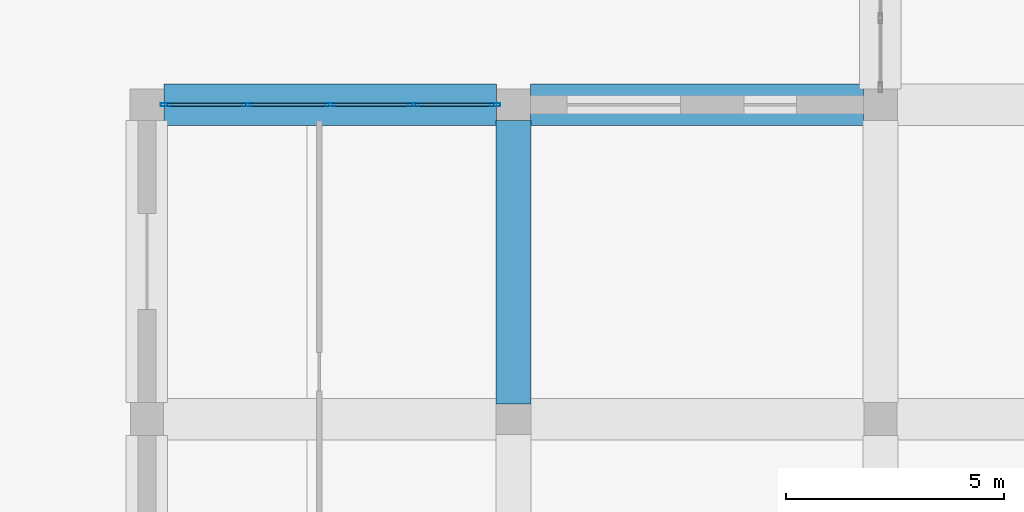
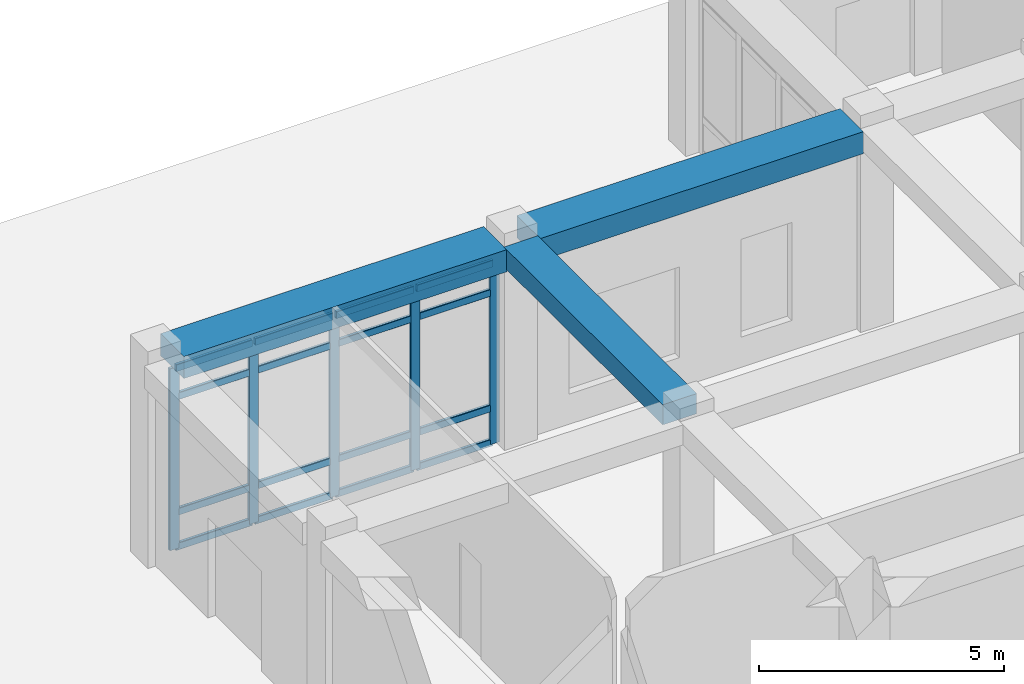
# One storey, part 32 of 84: 21 members, 3 beams, 1 element without a shape of its own.
"""IFC4 building model written with IfcOpenShell, lengths in metres."""

from ifc_helpers import new_model, si_unit, derived_unit, direction, frame, origin, origin_2d, place, context, subcontext, project, spatial, rectangle, hollow_rectangle, extrude, material, material_profile, profile_set, type_object, element, aggregate, save


model = new_model("IFC4")

# Units and contexts
model_context = context("Model", 3, precision=1e-05, world=origin(), true_north=direction((0.0, 1.0)))
body_context = subcontext(model_context, "Body", "Model", "MODEL_VIEW")
ifc_project = project(units=[si_unit("LENGTHUNIT", "METRE"), si_unit("AREAUNIT", "SQUARE_METRE"), si_unit("VOLUMEUNIT", "CUBIC_METRE"), si_unit("PLANEANGLEUNIT", "RADIAN"), si_unit("MASSUNIT", "GRAM", prefix="KILO"), derived_unit("THERMALTRANSMITTANCEUNIT", [(si_unit("POWERUNIT", "WATT"), 1), (si_unit("LENGTHUNIT", "METRE"), -2), (si_unit("THERMODYNAMICTEMPERATUREUNIT", "KELVIN"), -1)])], contexts=[model_context])

# Site, building, storey
site_placement = place(None, origin())
site = spatial("IfcSite", under=ifc_project, at=site_placement, CompositionType="ELEMENT")
building_placement = place(site_placement, origin())
building = spatial("IfcBuilding", under=site, at=building_placement, Name="Veybourne Emporium", CompositionType="ELEMENT")
storey_placement = place(building_placement, origin())
storey = spatial("IfcBuildingStorey", under=building, at=storey_placement, Name="L00", CompositionType="ELEMENT", Elevation=0.0)

# Curtain wall, members
ifc_material_1 = material(Name="Patinated Architectural Bronze", Category="bronze")
curtain_wall_type = type_object("IfcCurtainWallType", Name="CWSystem_CWS-02", PredefinedType="NOTDEFINED", material=ifc_material_1)
curtain_wall_placement = place(storey_placement, origin())
curtain_wall = element("IfcCurtainWall", 1, at=curtain_wall_placement, inside=storey, type_object=curtain_wall_type, Name="L00 bronze glazed curtain wall CWS-02 (024)", PredefinedType="NOTDEFINED")
ifc_material_profile_1 = material_profile(ifc_material_1, hollow_rectangle(XDim=0.074951171875, YDim=0.22998046875, WallThickness=0.0048828125, InnerFilletRadius=0.007568359375, OuterFilletRadius=0.012451171875, at=origin_2d()), Name="CWM 75x230x5")
ifc_profile_set_1 = profile_set([ifc_material_profile_1], Name="Patinated Architectural Bronze")
member_type_1 = type_object("IfcMemberType", Name="CWMullion_CW-M2", PredefinedType="MULLION", material=ifc_profile_set_1)
member_1_placement = place(storey_placement, frame((34.027587890625, 108.0, 0.0), z_axis=(0.0, 0.0, 1.0), x_axis=(0.0, 1.0, 0.0)))
member_1 = element("IfcMember", 2, at=member_1_placement, type_object=member_type_1, Name="CWS-02 mullion 1", PredefinedType="MULLION", context=body_context, shape_type="SweptSolid", body=[
    extrude(hollow_rectangle(XDim=0.074951171875, YDim=0.22998046875, WallThickness=0.0048828125, InnerFilletRadius=0.007568359375, OuterFilletRadius=0.012451171875, at=origin_2d()), origin(), (0.0, 0.0, 1.0), 4.530029296875),
])
member_2_placement = place(storey_placement, frame((35.89501953125, 108.0, 0.0), z_axis=(0.0, 0.0, 1.0), x_axis=(0.0, 1.0, 0.0)))
member_2 = element("IfcMember", 3, at=member_2_placement, type_object=member_type_1, Name="CWS-02 mullion 2", PredefinedType="MULLION", context=body_context, shape_type="SweptSolid", body=[
    extrude(hollow_rectangle(XDim=0.074951171875, YDim=0.22998046875, WallThickness=0.0048828125, InnerFilletRadius=0.007568359375, OuterFilletRadius=0.012451171875, at=origin_2d()), origin(), (0.0, 0.0, 1.0), 4.530029296875),
])
member_3_placement = place(storey_placement, frame((37.800048828125, 108.0, 0.0), z_axis=(0.0, 0.0, 1.0), x_axis=(0.0, 1.0, 0.0)))
member_3 = element("IfcMember", 4, at=member_3_placement, type_object=member_type_1, Name="CWS-02 mullion 3", PredefinedType="MULLION", context=body_context, shape_type="SweptSolid", body=[
    extrude(hollow_rectangle(XDim=0.074951171875, YDim=0.22998046875, WallThickness=0.0048828125, InnerFilletRadius=0.007568359375, OuterFilletRadius=0.012451171875, at=origin_2d()), origin(), (0.0, 0.0, 1.0), 4.530029296875),
])
member_4_placement = place(storey_placement, frame((39.705078125, 108.0, 0.0), z_axis=(0.0, 0.0, 1.0), x_axis=(0.0, 1.0, 0.0)))
member_4 = element("IfcMember", 5, at=member_4_placement, type_object=member_type_1, Name="CWS-02 mullion 4", PredefinedType="MULLION", context=body_context, shape_type="SweptSolid", body=[
    extrude(hollow_rectangle(XDim=0.074951171875, YDim=0.22998046875, WallThickness=0.0048828125, InnerFilletRadius=0.007568359375, OuterFilletRadius=0.012451171875, at=origin_2d()), origin(), (0.0, 0.0, 1.0), 4.530029296875),
])
member_5_placement = place(storey_placement, frame((41.572509765625, 108.0, 0.0), z_axis=(0.0, 0.0, 1.0), x_axis=(0.0, 1.0, 0.0)))
member_5 = element("IfcMember", 6, at=member_5_placement, type_object=member_type_1, Name="CWS-02 mullion 5", PredefinedType="MULLION", context=body_context, shape_type="SweptSolid", body=[
    extrude(hollow_rectangle(XDim=0.074951171875, YDim=0.22998046875, WallThickness=0.0048828125, InnerFilletRadius=0.007568359375, OuterFilletRadius=0.012451171875, at=origin_2d()), origin(), (0.0, 0.0, 1.0), 4.530029296875),
])
ifc_material_profile_2 = material_profile(ifc_material_1, hollow_rectangle(XDim=0.074951171875, YDim=0.179931640625, WallThickness=0.0048828125, InnerFilletRadius=0.007568359375, OuterFilletRadius=0.012451171875, at=origin_2d()), Name="CWT 75x180x5")
ifc_profile_set_2 = profile_set([ifc_material_profile_2], Name="Patinated Architectural Bronze")
member_type_2 = type_object("IfcMemberType", Name="CWTransom_CW-T2", PredefinedType="NOTDEFINED", material=ifc_profile_set_2)
member_6_placement = place(storey_placement, frame((34.06494140625, 108.0, 0.03759765625), z_axis=(1.0, 0.0, 0.0), x_axis=(0.0, 1.0, 0.0)))
member_6 = element("IfcMember", 7, at=member_6_placement, type_object=member_type_2, Name="CWS-02 transom 1.1", ObjectType="TRANSOM", PredefinedType="USERDEFINED", context=body_context, shape_type="SweptSolid", body=[
    extrude(hollow_rectangle(XDim=0.074951171875, YDim=0.179931640625, WallThickness=0.0048828125, InnerFilletRadius=0.007568359375, OuterFilletRadius=0.012451171875, at=origin_2d()), origin(), (0.0, 0.0, 1.0), 1.79248046875),
])
member_7_placement = place(storey_placement, frame((34.06494140625, 108.0, 0.89990234375), z_axis=(1.0, 0.0, 0.0), x_axis=(0.0, 1.0, 0.0)))
member_7 = element("IfcMember", 8, at=member_7_placement, type_object=member_type_2, Name="CWS-02 transom 1.2", ObjectType="TRANSOM", PredefinedType="USERDEFINED", context=body_context, shape_type="SweptSolid", body=[
    extrude(hollow_rectangle(XDim=0.074951171875, YDim=0.179931640625, WallThickness=0.0048828125, InnerFilletRadius=0.007568359375, OuterFilletRadius=0.012451171875, at=origin_2d()), origin(), (0.0, 0.0, 1.0), 1.79248046875),
])
member_8_placement = place(storey_placement, frame((34.06494140625, 108.0, 3.780029296875), z_axis=(1.0, 0.0, 0.0), x_axis=(0.0, 1.0, 0.0)))
member_8 = element("IfcMember", 9, at=member_8_placement, type_object=member_type_2, Name="CWS-02 transom 1.3", ObjectType="TRANSOM", PredefinedType="USERDEFINED", context=body_context, shape_type="SweptSolid", body=[
    extrude(hollow_rectangle(XDim=0.074951171875, YDim=0.179931640625, WallThickness=0.0048828125, InnerFilletRadius=0.007568359375, OuterFilletRadius=0.012451171875, at=origin_2d()), origin(), (0.0, 0.0, 1.0), 1.79248046875),
])
member_9_placement = place(storey_placement, frame((34.06494140625, 108.0, 4.492431640625), z_axis=(1.0, 0.0, 0.0), x_axis=(0.0, 1.0, 0.0)))
member_9 = element("IfcMember", 10, at=member_9_placement, type_object=member_type_2, Name="CWS-02 transom 1.4", ObjectType="TRANSOM", PredefinedType="USERDEFINED", context=body_context, shape_type="SweptSolid", body=[
    extrude(hollow_rectangle(XDim=0.074951171875, YDim=0.179931640625, WallThickness=0.0048828125, InnerFilletRadius=0.007568359375, OuterFilletRadius=0.012451171875, at=origin_2d()), origin(), (0.0, 0.0, 1.0), 1.79248046875),
])
member_10_placement = place(storey_placement, frame((35.9326171875, 108.0, 0.03759765625), z_axis=(1.0, 0.0, 0.0), x_axis=(0.0, 1.0, 0.0)))
member_10 = element("IfcMember", 11, at=member_10_placement, type_object=member_type_2, Name="CWS-02 transom 2.1", ObjectType="TRANSOM", PredefinedType="USERDEFINED", context=body_context, shape_type="SweptSolid", body=[
    extrude(hollow_rectangle(XDim=0.074951171875, YDim=0.179931640625, WallThickness=0.0048828125, InnerFilletRadius=0.007568359375, OuterFilletRadius=0.012451171875, at=origin_2d()), origin(), (0.0, 0.0, 1.0), 1.829833984375),
])
member_11_placement = place(storey_placement, frame((35.9326171875, 108.0, 0.89990234375), z_axis=(1.0, 0.0, 0.0), x_axis=(0.0, 1.0, 0.0)))
member_11 = element("IfcMember", 12, at=member_11_placement, type_object=member_type_2, Name="CWS-02 transom 2.2", ObjectType="TRANSOM", PredefinedType="USERDEFINED", context=body_context, shape_type="SweptSolid", body=[
    extrude(hollow_rectangle(XDim=0.074951171875, YDim=0.179931640625, WallThickness=0.0048828125, InnerFilletRadius=0.007568359375, OuterFilletRadius=0.012451171875, at=origin_2d()), origin(), (0.0, 0.0, 1.0), 1.829833984375),
])
member_12_placement = place(storey_placement, frame((35.9326171875, 108.0, 3.780029296875), z_axis=(1.0, 0.0, 0.0), x_axis=(0.0, 1.0, 0.0)))
member_12 = element("IfcMember", 13, at=member_12_placement, type_object=member_type_2, Name="CWS-02 transom 2.3", ObjectType="TRANSOM", PredefinedType="USERDEFINED", context=body_context, shape_type="SweptSolid", body=[
    extrude(hollow_rectangle(XDim=0.074951171875, YDim=0.179931640625, WallThickness=0.0048828125, InnerFilletRadius=0.007568359375, OuterFilletRadius=0.012451171875, at=origin_2d()), origin(), (0.0, 0.0, 1.0), 1.829833984375),
])
member_13_placement = place(storey_placement, frame((35.9326171875, 108.0, 4.492431640625), z_axis=(1.0, 0.0, 0.0), x_axis=(0.0, 1.0, 0.0)))
member_13 = element("IfcMember", 14, at=member_13_placement, type_object=member_type_2, Name="CWS-02 transom 2.4", ObjectType="TRANSOM", PredefinedType="USERDEFINED", context=body_context, shape_type="SweptSolid", body=[
    extrude(hollow_rectangle(XDim=0.074951171875, YDim=0.179931640625, WallThickness=0.0048828125, InnerFilletRadius=0.007568359375, OuterFilletRadius=0.012451171875, at=origin_2d()), origin(), (0.0, 0.0, 1.0), 1.829833984375),
])
member_14_placement = place(storey_placement, frame((37.83740234375, 108.0, 0.03759765625), z_axis=(1.0, 0.0, 0.0), x_axis=(0.0, 1.0, 0.0)))
member_14 = element("IfcMember", 15, at=member_14_placement, type_object=member_type_2, Name="CWS-02 transom 3.1", ObjectType="TRANSOM", PredefinedType="USERDEFINED", context=body_context, shape_type="SweptSolid", body=[
    extrude(hollow_rectangle(XDim=0.074951171875, YDim=0.179931640625, WallThickness=0.0048828125, InnerFilletRadius=0.007568359375, OuterFilletRadius=0.012451171875, at=origin_2d()), origin(), (0.0, 0.0, 1.0), 1.830078125),
])
member_15_placement = place(storey_placement, frame((37.83740234375, 108.0, 0.89990234375), z_axis=(1.0, 0.0, 0.0), x_axis=(0.0, 1.0, 0.0)))
member_15 = element("IfcMember", 16, at=member_15_placement, type_object=member_type_2, Name="CWS-02 transom 3.2", ObjectType="TRANSOM", PredefinedType="USERDEFINED", context=body_context, shape_type="SweptSolid", body=[
    extrude(hollow_rectangle(XDim=0.074951171875, YDim=0.179931640625, WallThickness=0.0048828125, InnerFilletRadius=0.007568359375, OuterFilletRadius=0.012451171875, at=origin_2d()), origin(), (0.0, 0.0, 1.0), 1.830078125),
])
member_16_placement = place(storey_placement, frame((37.83740234375, 108.0, 3.780029296875), z_axis=(1.0, 0.0, 0.0), x_axis=(0.0, 1.0, 0.0)))
member_16 = element("IfcMember", 17, at=member_16_placement, type_object=member_type_2, Name="CWS-02 transom 3.3", ObjectType="TRANSOM", PredefinedType="USERDEFINED", context=body_context, shape_type="SweptSolid", body=[
    extrude(hollow_rectangle(XDim=0.074951171875, YDim=0.179931640625, WallThickness=0.0048828125, InnerFilletRadius=0.007568359375, OuterFilletRadius=0.012451171875, at=origin_2d()), origin(), (0.0, 0.0, 1.0), 1.830078125),
])
member_17_placement = place(storey_placement, frame((37.83740234375, 108.0, 4.492431640625), z_axis=(1.0, 0.0, 0.0), x_axis=(0.0, 1.0, 0.0)))
member_17 = element("IfcMember", 18, at=member_17_placement, type_object=member_type_2, Name="CWS-02 transom 3.4", ObjectType="TRANSOM", PredefinedType="USERDEFINED", context=body_context, shape_type="SweptSolid", body=[
    extrude(hollow_rectangle(XDim=0.074951171875, YDim=0.179931640625, WallThickness=0.0048828125, InnerFilletRadius=0.007568359375, OuterFilletRadius=0.012451171875, at=origin_2d()), origin(), (0.0, 0.0, 1.0), 1.830078125),
])
member_18_placement = place(storey_placement, frame((39.742431640625, 108.0, 0.03759765625), z_axis=(1.0, 0.0, 0.0), x_axis=(0.0, 1.0, 0.0)))
member_18 = element("IfcMember", 19, at=member_18_placement, type_object=member_type_2, Name="CWS-02 transom 4.1", ObjectType="TRANSOM", PredefinedType="USERDEFINED", context=body_context, shape_type="SweptSolid", body=[
    extrude(hollow_rectangle(XDim=0.074951171875, YDim=0.179931640625, WallThickness=0.0048828125, InnerFilletRadius=0.007568359375, OuterFilletRadius=0.012451171875, at=origin_2d()), origin(), (0.0, 0.0, 1.0), 1.79248046875),
])
member_19_placement = place(storey_placement, frame((39.742431640625, 108.0, 0.89990234375), z_axis=(1.0, 0.0, 0.0), x_axis=(0.0, 1.0, 0.0)))
member_19 = element("IfcMember", 20, at=member_19_placement, type_object=member_type_2, Name="CWS-02 transom 4.2", ObjectType="TRANSOM", PredefinedType="USERDEFINED", context=body_context, shape_type="SweptSolid", body=[
    extrude(hollow_rectangle(XDim=0.074951171875, YDim=0.179931640625, WallThickness=0.0048828125, InnerFilletRadius=0.007568359375, OuterFilletRadius=0.012451171875, at=origin_2d()), origin(), (0.0, 0.0, 1.0), 1.79248046875),
])
member_20_placement = place(storey_placement, frame((39.742431640625, 108.0, 3.780029296875), z_axis=(1.0, 0.0, 0.0), x_axis=(0.0, 1.0, 0.0)))
member_20 = element("IfcMember", 21, at=member_20_placement, type_object=member_type_2, Name="CWS-02 transom 4.3", ObjectType="TRANSOM", PredefinedType="USERDEFINED", context=body_context, shape_type="SweptSolid", body=[
    extrude(hollow_rectangle(XDim=0.074951171875, YDim=0.179931640625, WallThickness=0.0048828125, InnerFilletRadius=0.007568359375, OuterFilletRadius=0.012451171875, at=origin_2d()), origin(), (0.0, 0.0, 1.0), 1.79248046875),
])
member_21_placement = place(storey_placement, frame((39.742431640625, 108.0, 4.492431640625), z_axis=(1.0, 0.0, 0.0), x_axis=(0.0, 1.0, 0.0)))
member_21 = element("IfcMember", 22, at=member_21_placement, type_object=member_type_2, Name="CWS-02 transom 4.4", ObjectType="TRANSOM", PredefinedType="USERDEFINED", context=body_context, shape_type="SweptSolid", body=[
    extrude(hollow_rectangle(XDim=0.074951171875, YDim=0.179931640625, WallThickness=0.0048828125, InnerFilletRadius=0.007568359375, OuterFilletRadius=0.012451171875, at=origin_2d()), origin(), (0.0, 0.0, 1.0), 1.79248046875),
])
aggregate(curtain_wall, [member_1, member_2, member_3, member_4, member_5, member_6, member_7, member_8, member_9, member_10, member_11, member_12, member_13, member_14, member_15, member_16, member_17, member_18, member_19, member_20, member_21])

# Beams
ifc_material_2 = material(Name="Concrete C32/40", Category="concrete")
ifc_material_profile_3 = material_profile(ifc_material_2, rectangle(XDim=0.800048828125, YDim=0.5, at=origin_2d()), Name="RC 800x500")
ifc_profile_set_3 = profile_set([ifc_material_profile_3], Name="Concrete C32/40")
beam_type_1 = type_object("IfcBeamType", Name="RCBeam_BB-02", PredefinedType="BEAM", material=ifc_profile_set_3)
beam_placement = place(storey_placement, frame((42.0, 101.14990234375, 4.830078125), z_axis=(0.0, 1.0, 0.0), x_axis=(-1.0, 0.0, 0.0)))
element("IfcBeam", 23, at=beam_placement, inside=storey, type_object=beam_type_1, Name="L00 Y-grid beam BB-02 (5,14)", PredefinedType="BEAM", context=body_context, shape_type="SweptSolid", body=[
    extrude(rectangle(XDim=0.800048828125, YDim=0.5, at=origin_2d()), origin(), (0.0, 0.0, 1.0), 6.489990234375),
])
ifc_material_profile_4 = material_profile(ifc_material_2, rectangle(XDim=0.949951171875, YDim=0.550048828125, at=origin_2d()), Name="RC 950x550")
ifc_profile_set_4 = profile_set([ifc_material_profile_4], Name="Concrete C32/40")
beam_type_2 = type_object("IfcBeamType", Name="RCBeam_EB-01", PredefinedType="SPANDREL", material=ifc_profile_set_4)
for number, where, z_axis, x_axis, name in (
    (24, (33.989990234375, 108.0, 4.804931640625), (1.0, 0.0, 0.0), (0.0, 1.0, 0.0), "L00 X-grid beam EB-01 (4,15)"),
    (25, (42.389892578125, 108.0, 4.804931640625), (1.0, 0.0, 0.0), (0.0, 1.0, 0.0), "L00 X-grid beam EB-01 (5,15)"),
):
    element("IfcBeam", number, at=place(storey_placement, frame(where, z_axis=z_axis, x_axis=x_axis)), inside=storey, type_object=beam_type_2, Name=name, PredefinedType="SPANDREL", context=body_context, shape_type="SweptSolid", body=[
        extrude(rectangle(XDim=0.949951171875, YDim=0.550048828125, at=origin_2d()), origin(), (0.0, 0.0, 1.0), 7.6201171875),
    ])

save(model, "model.ifc")
